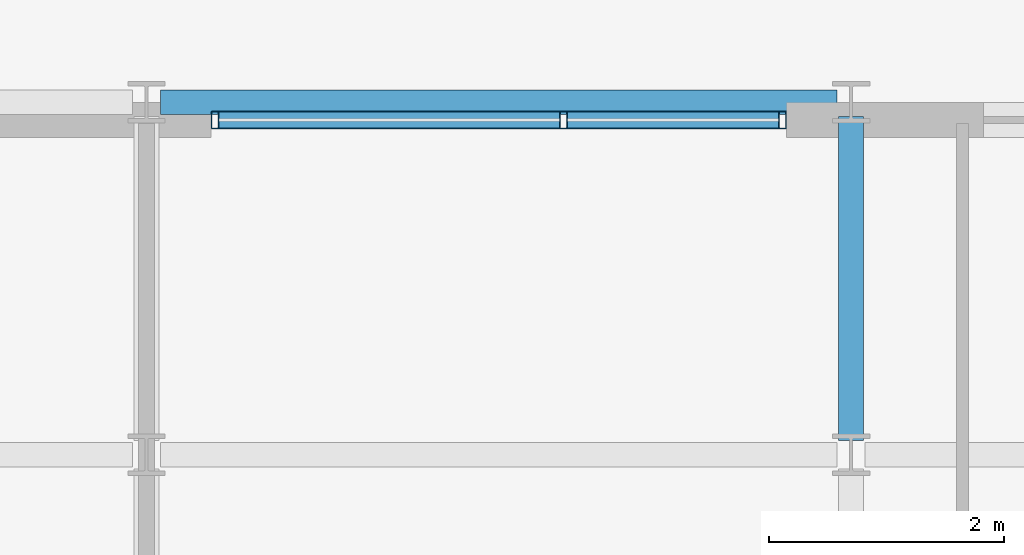
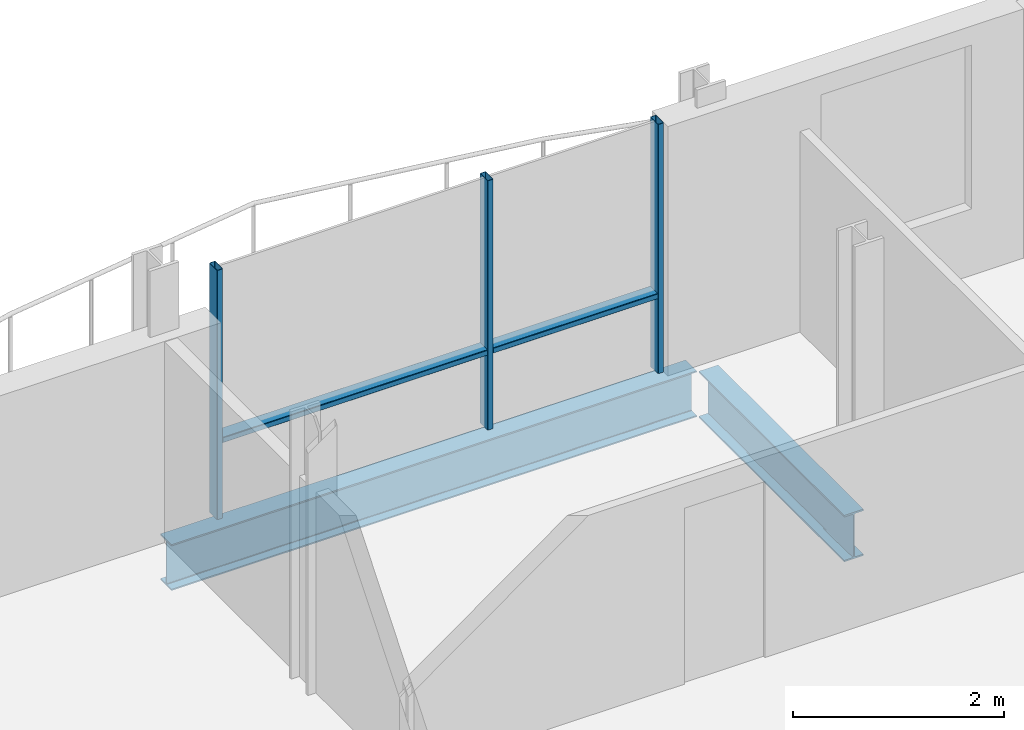
# One storey, part 4 of 12: 5 members, 2 beams, 1 element without a shape of its own.
"""IFC4 building model written with IfcOpenShell, lengths in metres."""

from ifc_helpers import new_model, si_unit, direction, frame, origin, origin_2d, place, context, subcontext, project, spatial, hollow_rectangle, i_section, extrude, material, layer, layer_set, material_profile, profile_set, type_object, element, aggregate, save


model = new_model("IFC4")

# Units and contexts
model_context = context("Model", 3, precision=1e-05, world=origin(), true_north=direction((0.0, 1.0)))
body_context = subcontext(model_context, "Body", "Model", "MODEL_VIEW")
ifc_project = project(units=[si_unit("LENGTHUNIT", "METRE"), si_unit("AREAUNIT", "SQUARE_METRE"), si_unit("VOLUMEUNIT", "CUBIC_METRE"), si_unit("PLANEANGLEUNIT", "RADIAN"), si_unit("MASSUNIT", "GRAM", prefix="KILO")], contexts=[model_context])

# Site, building, storey
site_placement = place(None, origin())
site = spatial("IfcSite", under=ifc_project, at=site_placement, CompositionType="ELEMENT")
building_placement = place(site_placement, origin())
building = spatial("IfcBuilding", under=site, at=building_placement, Name="Brevholm Reach", CompositionType="ELEMENT")
storey_placement = place(building_placement, frame((0.0, 0.0, 233.5)))
storey = spatial("IfcBuildingStorey", under=building, at=storey_placement, Name="L71", CompositionType="ELEMENT", Elevation=233.5)

# Beams
ifc_material_1 = material(Name="Structural Steel S355J2", Category="steel")
ifc_material_profile_1 = material_profile(ifc_material_1, i_section(OverallWidth=0.209228515625, OverallDepth=0.533203125, WebThickness=0.010009765625, FlangeThickness=0.015625, FilletRadius=0.0126953125, at=origin_2d()), Name="UKB 533x210x92")
ifc_profile_set_1 = profile_set([ifc_material_profile_1], Name="Structural Steel S355J2")
beam_type_1 = type_object("IfcBeamType", Name="BM-SP533", PredefinedType="SPANDREL", material=ifc_profile_set_1)
beam_1_placement = place(storey_placement, frame((48.1201171875, 26.5, -0.4765625), z_axis=(1.0, 0.0, 0.0), x_axis=(0.0, 1.0, 0.0)))
element("IfcBeam", 1, at=beam_1_placement, inside=storey, type_object=beam_type_1, Name="L71 SP-02 Framing Beam", PredefinedType="SPANDREL", context=body_context, shape_type="SweptSolid", body=[
    extrude(i_section(OverallWidth=0.209228515625, OverallDepth=0.533203125, WebThickness=0.010009765625, FlangeThickness=0.015625, FilletRadius=0.0126953125, at=origin_2d()), origin(), (0.0, 0.0, 1.0), 5.759765625),
])
ifc_material_2 = material(Name="Structural Steel S355J2", Category="steel")
ifc_material_profile_2 = material_profile(ifc_material_2, i_section(OverallWidth=0.210693359375, OverallDepth=0.53955078125, WebThickness=0.01171875, FlangeThickness=0.018798828125, FilletRadius=0.0126953125, at=origin_2d()), Name="UKB 533x210x109")
ifc_profile_set_2 = profile_set([ifc_material_profile_2], Name="Structural Steel S355J2")
beam_type_2 = type_object("IfcBeamType", Name="BM-SP539", PredefinedType="SPANDREL", material=ifc_profile_set_2)
beam_2_placement = place(storey_placement, frame((54.0, 23.6201171875, -0.479736328125), z_axis=(0.0, 1.0, 0.0), x_axis=(-1.0, 0.0, 0.0)))
element("IfcBeam", 2, at=beam_2_placement, inside=storey, type_object=beam_type_2, Name="L71 SP-01B Framing Beam", PredefinedType="SPANDREL", context=body_context, shape_type="SweptSolid", body=[
    extrude(i_section(OverallWidth=0.210693359375, OverallDepth=0.53955078125, WebThickness=0.01171875, FlangeThickness=0.018798828125, FilletRadius=0.0126953125, at=origin_2d()), origin(), (0.0, 0.0, 1.0), 2.759765625),
])

# Curtain wall, members
ifc_material_3 = material(Name="Dark Anodised Aluminium 6063-T6 and Solar-Control Glass", Category="aluminium")
ifc_layer = layer(ifc_material_3, 0.14990234375)
ifc_layer_set = layer_set([ifc_layer], Name="Dark Anodised Aluminium 6063-T6 and Solar-Control Glass")
curtain_wall_type = type_object("IfcCurtainWallType", Name="CW-01", PredefinedType="NOTDEFINED", material=ifc_layer_set)
curtain_wall_placement = place(storey_placement, origin())
curtain_wall = element("IfcCurtainWall", 3, at=curtain_wall_placement, inside=storey, type_object=curtain_wall_type, Name="L71 Curtain Wall CW-01", PredefinedType="NOTDEFINED")
ifc_material_4 = material(Name="Dark Anodised Aluminium 6063-T6", Category="aluminium")
ifc_material_profile_3 = material_profile(ifc_material_4, hollow_rectangle(XDim=0.06494140625, YDim=0.14990234375, WallThickness=0.0048828125, InnerFilletRadius=0.0048828125, OuterFilletRadius=0.010009765625, at=origin_2d()), Name="RHS 150x65x5")
ifc_profile_set_3 = profile_set([ifc_material_profile_3], Name="Dark Anodised Aluminium 6063-T6")
member_type_1 = type_object("IfcMemberType", Name="CWM-150", PredefinedType="MULLION", material=ifc_profile_set_3)
member_1_placement = place(storey_placement, frame((48.58251953125, 26.35009765625, 0.0), z_axis=(0.0, 0.0, 1.0), x_axis=(1.0, 0.0, 0.0)))
member_1 = element("IfcMember", 4, at=member_1_placement, type_object=member_type_1, Name="CM-150 Mullion 1", PredefinedType="MULLION", context=body_context, shape_type="SweptSolid", body=[
    extrude(hollow_rectangle(XDim=0.06494140625, YDim=0.14990234375, WallThickness=0.0048828125, InnerFilletRadius=0.0048828125, OuterFilletRadius=0.010009765625, at=origin_2d()), origin(), (0.0, 0.0, 1.0), 2.889892578125),
])
member_2_placement = place(storey_placement, frame((51.550048828125, 26.35009765625, 0.0), z_axis=(0.0, 0.0, 1.0), x_axis=(1.0, 0.0, 0.0)))
member_2 = element("IfcMember", 5, at=member_2_placement, type_object=member_type_1, Name="CM-150 Mullion 2", PredefinedType="MULLION", context=body_context, shape_type="SweptSolid", body=[
    extrude(hollow_rectangle(XDim=0.06494140625, YDim=0.14990234375, WallThickness=0.0048828125, InnerFilletRadius=0.0048828125, OuterFilletRadius=0.010009765625, at=origin_2d()), origin(), (0.0, 0.0, 1.0), 2.889892578125),
])
member_3_placement = place(storey_placement, frame((53.41748046875, 26.35009765625, 0.0), z_axis=(0.0, 0.0, 1.0), x_axis=(1.0, 0.0, 0.0)))
member_3 = element("IfcMember", 6, at=member_3_placement, type_object=member_type_1, Name="CM-150 Mullion 3", PredefinedType="MULLION", context=body_context, shape_type="SweptSolid", body=[
    extrude(hollow_rectangle(XDim=0.06494140625, YDim=0.14990234375, WallThickness=0.0048828125, InnerFilletRadius=0.0048828125, OuterFilletRadius=0.010009765625, at=origin_2d()), origin(), (0.0, 0.0, 1.0), 2.889892578125),
])
ifc_material_5 = material(Name="Dark Anodised Aluminium 6063-T6", Category="aluminium")
ifc_material_profile_4 = material_profile(ifc_material_5, hollow_rectangle(XDim=0.06494140625, YDim=0.14990234375, WallThickness=0.0048828125, InnerFilletRadius=0.0048828125, OuterFilletRadius=0.010009765625, at=origin_2d()), Name="RHS 150x65x5")
ifc_profile_set_4 = profile_set([ifc_material_profile_4], Name="Dark Anodised Aluminium 6063-T6")
member_type_2 = type_object("IfcMemberType", Name="CWT-150", PredefinedType="NOTDEFINED", material=ifc_profile_set_4)
member_4_placement = place(storey_placement, frame((48.614990234375, 26.35009765625, 0.89990234375), z_axis=(1.0, 0.0, 0.0), x_axis=(0.0, 0.0, 1.0)))
member_4 = element("IfcMember", 7, at=member_4_placement, type_object=member_type_2, Name="CT-150 Transom 1.1", ObjectType="TRANSOM", PredefinedType="USERDEFINED", context=body_context, shape_type="SweptSolid", body=[
    extrude(hollow_rectangle(XDim=0.06494140625, YDim=0.14990234375, WallThickness=0.0048828125, InnerFilletRadius=0.0048828125, OuterFilletRadius=0.010009765625, at=origin_2d()), origin(), (0.0, 0.0, 1.0), 2.902587890625),
])
member_5_placement = place(storey_placement, frame((51.58251953125, 26.35009765625, 0.89990234375), z_axis=(1.0, 0.0, 0.0), x_axis=(0.0, 0.0, 1.0)))
member_5 = element("IfcMember", 8, at=member_5_placement, type_object=member_type_2, Name="CT-150 Transom 2.1", ObjectType="TRANSOM", PredefinedType="USERDEFINED", context=body_context, shape_type="SweptSolid", body=[
    extrude(hollow_rectangle(XDim=0.06494140625, YDim=0.14990234375, WallThickness=0.0048828125, InnerFilletRadius=0.0048828125, OuterFilletRadius=0.010009765625, at=origin_2d()), origin(), (0.0, 0.0, 1.0), 1.802490234375),
])
aggregate(curtain_wall, [member_1, member_2, member_3, member_4, member_5])

save(model, "model.ifc")
